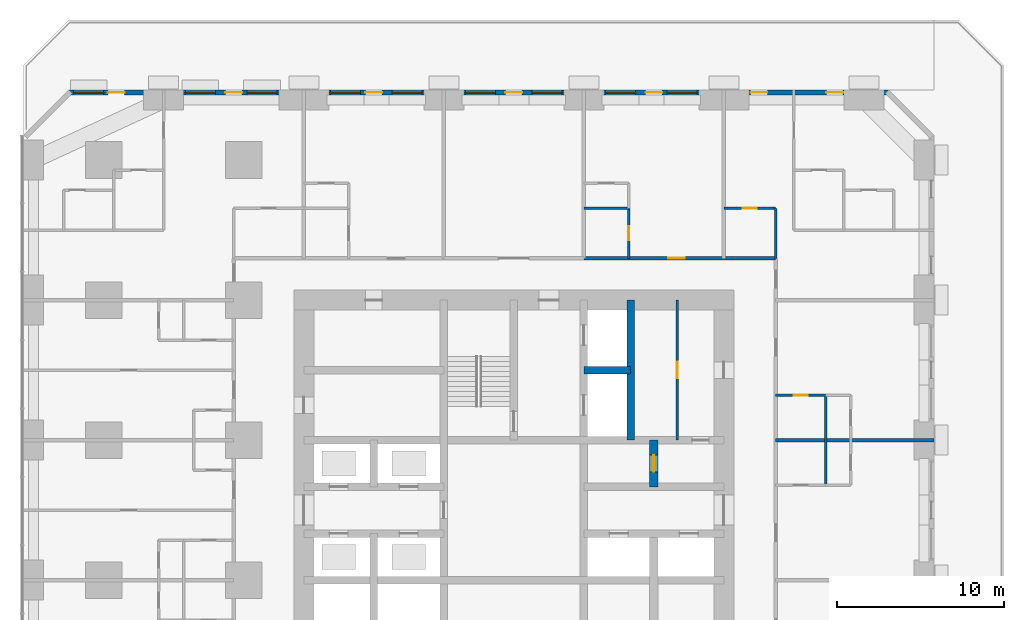
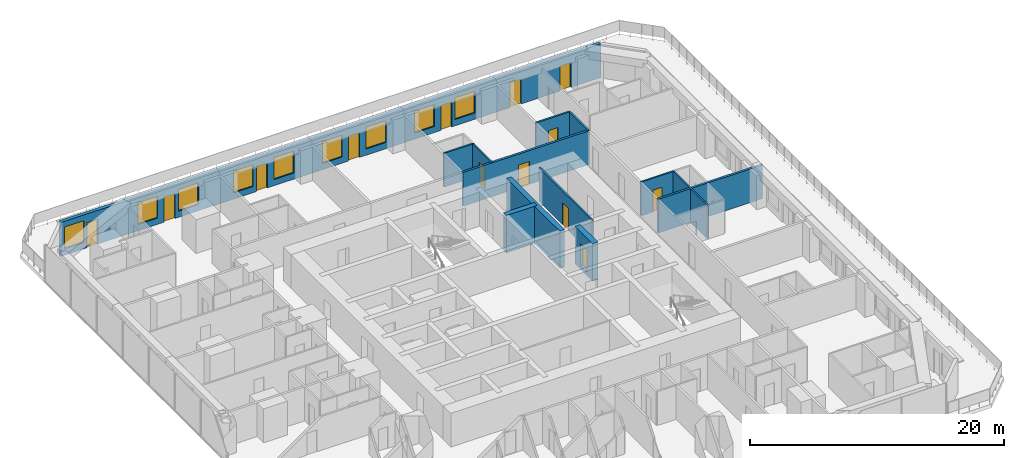
# One storey, part 13 of 16: 13 doors, 13 walls, 9 windows, 22 openings.
"""IFC4 building model written with IfcOpenShell, lengths in metres."""

from ifc_helpers import new_model, si_unit, direction, frame, frame_2d, origin, place, context, subcontext, project, spatial, rectangle, extrude, material, layer, layer_set, type_object, element, fill, save


model = new_model("IFC4")

# Units and contexts
model_context = context("Model", 3, precision=1e-05, world=origin(), true_north=direction((0.0, 1.0)))
body_context = subcontext(model_context, "Body", "Model", "MODEL_VIEW")
ifc_project = project(units=[si_unit("LENGTHUNIT", "METRE"), si_unit("AREAUNIT", "SQUARE_METRE"), si_unit("VOLUMEUNIT", "CUBIC_METRE"), si_unit("PLANEANGLEUNIT", "RADIAN"), si_unit("MASSUNIT", "GRAM", prefix="KILO")], contexts=[model_context])

# Site, building, storey
site_placement = place(None, origin())
site = spatial("IfcSite", under=ifc_project, at=site_placement, CompositionType="ELEMENT")
building_placement = place(site_placement, origin())
building = spatial("IfcBuilding", under=site, at=building_placement, Name="Dunama Terrace Hotel", CompositionType="ELEMENT")
storey_placement = place(building_placement, frame((0.0, 0.0, 93.60009765625)))
storey = spatial("IfcBuildingStorey", under=building, at=storey_placement, Name="L23", CompositionType="ELEMENT", Elevation=93.60009765625)

# Wall, opening, door
ifc_material_1 = material(Name="Gypsum board partition", Category="masonry")
ifc_layer_1 = layer(ifc_material_1, 0.14990234375)
ifc_layer_set_1 = layer_set([ifc_layer_1], Name="Bathroom partition 150")
wall_type_1 = type_object("IfcWallType", Name="Bathroom partition 150", PredefinedType="PARTITIONING", material=ifc_layer_set_1)
wall_1_placement = place(storey_placement, frame((36.300048828125, 44.5, 0.0), z_axis=(0.0, 0.0, 1.0), x_axis=(0.0, 1.0, 0.0)))
wall_1 = element("IfcWall", 1, at=wall_1_placement, inside=storey, type_object=wall_type_1, Name="Bathroom partition 150 L23", PredefinedType="PARTITIONING", context=body_context, shape_type="SweptSolid", body=[
    extrude(rectangle(XDim=3.0, YDim=0.14990234375, at=frame_2d((1.5, 0.0))), origin(), (0.0, 0.0, 1.0), 3.25),
])
opening_1_placement = place(wall_1_placement, frame((1.074951171875, 0.0, 0.0)))
opening_1 = element("IfcOpeningElement", 2, at=opening_1_placement, cuts=wall_1, Name="Opening L23-054", PredefinedType="OPENING", context=body_context, shape_type="SweptSolid", body=[
    extrude(rectangle(XDim=0.85009765625, YDim=2.10009765625, at=frame_2d((0.425048828125, 1.050048828125))), frame((0.0, 0.0849609375, 0.0), z_axis=(0.0, -1.0, 0.0), x_axis=(1.0, 0.0, 0.0)), (0.0, 0.0, 1.0), 0.169921875),
])
ifc_material_2 = material(Name="Timber door with steel frame", Category="steel")
door_type_1 = type_object("IfcDoorType", Name="Bathroom door 850", OperationType="SINGLE_SWING_LEFT", PredefinedType="DOOR", material=ifc_material_2)
door_1_placement = place(opening_1_placement, origin())
door_1 = element("IfcDoor", 3, at=door_1_placement, inside=storey, type_object=door_type_1, Name="Door to en-suite bathroom L23-054, type D2", OperationType="SINGLE_SWING_LEFT", OverallHeight=2.10009765625, OverallWidth=0.85009765625, PredefinedType="DOOR", context=body_context, shape_type="SweptSolid", body=[
    extrude(rectangle(XDim=0.85009765625, YDim=2.10009765625, at=frame_2d((0.425048828125, 1.050048828125))), frame((0.0, 0.02490234375, 0.0), z_axis=(0.0, -1.0, 0.0), x_axis=(1.0, 0.0, 0.0)), (0.0, 0.0, 1.0), 0.050048828125),
])
fill(opening_1, door_1)

# Wall
wall_2_placement = place(storey_placement, frame((45.10009765625, 44.5, 0.0), z_axis=(0.0, 0.0, 1.0), x_axis=(0.0, 1.0, 0.0)))
element("IfcWall", 4, at=wall_2_placement, inside=storey, type_object=wall_type_1, Name="Bathroom partition 150 L23", PredefinedType="PARTITIONING", context=body_context, shape_type="SweptSolid", body=[
    extrude(rectangle(XDim=3.0, YDim=0.14990234375, at=frame_2d((1.5, 0.0))), origin(), (0.0, 0.0, 1.0), 3.25),
])

# Wall, opening, door
wall_3_placement = place(storey_placement, frame((45.10009765625, 36.300048828125, 0.0), z_axis=(0.0, 0.0, 1.0), x_axis=(1.0, 0.0, 0.0)))
wall_3 = element("IfcWall", 5, at=wall_3_placement, inside=storey, type_object=wall_type_1, Name="Bathroom partition 150 L23", PredefinedType="PARTITIONING", context=body_context, shape_type="SweptSolid", body=[
    extrude(rectangle(XDim=3.0, YDim=0.14990234375, at=frame_2d((1.5, 0.0))), origin(), (0.0, 0.0, 1.0), 3.25),
])
opening_2_placement = place(wall_3_placement, frame((1.074951171875, 0.0, 0.0)))
opening_2 = element("IfcOpeningElement", 6, at=opening_2_placement, cuts=wall_3, Name="Opening L23-047", PredefinedType="OPENING", context=body_context, shape_type="SweptSolid", body=[
    extrude(rectangle(XDim=0.85009765625, YDim=2.10009765625, at=frame_2d((0.425048828125, 1.050048828125))), frame((0.0, 0.0849609375, 0.0), z_axis=(0.0, -1.0, 0.0), x_axis=(1.0, 0.0, 0.0)), (0.0, 0.0, 1.0), 0.169921875),
])
door_2_placement = place(opening_2_placement, frame((0.85009765625, 0.0, 0.0), z_axis=(0.0, 0.0, 1.0), x_axis=(-1.0, 0.0, 0.0)))
door_2 = element("IfcDoor", 7, at=door_2_placement, inside=storey, type_object=door_type_1, Name="Door to en-suite bathroom L23-047, type D2", OperationType="SINGLE_SWING_RIGHT", OverallHeight=2.10009765625, OverallWidth=0.85009765625, PredefinedType="DOOR", context=body_context, shape_type="SweptSolid", body=[
    extrude(rectangle(XDim=0.85009765625, YDim=2.10009765625, at=frame_2d((0.425048828125, 1.050048828125))), frame((0.0, 0.025146484375, 0.0), z_axis=(0.0, -1.0, 0.0), x_axis=(1.0, 0.0, 0.0)), (0.0, 0.0, 1.0), 0.050048828125),
])
fill(opening_2, door_2)

wall_4_placement = place(storey_placement, frame((42.0, 47.5, 0.0), z_axis=(0.0, 0.0, 1.0), x_axis=(1.0, 0.0, 0.0)))
wall_4 = element("IfcWall", 8, at=wall_4_placement, inside=storey, type_object=wall_type_1, Name="Bathroom partition 150 L23", PredefinedType="PARTITIONING", context=body_context, shape_type="SweptSolid", body=[
    extrude(rectangle(XDim=3.10009765625, YDim=0.14990234375, at=frame_2d((1.550048828125, 0.0))), origin(), (0.0, 0.0, 1.0), 3.25),
])
opening_3_placement = place(wall_4_placement, frame((1.125, 0.0, 0.0)))
opening_3 = element("IfcOpeningElement", 9, at=opening_3_placement, cuts=wall_4, Name="Opening L23-083", PredefinedType="OPENING", context=body_context, shape_type="SweptSolid", body=[
    extrude(rectangle(XDim=0.85009765625, YDim=2.10009765625, at=frame_2d((0.425048828125, 1.050048828125))), frame((0.0, 0.0849609375, 0.0), z_axis=(0.0, -1.0, 0.0), x_axis=(1.0, 0.0, 0.0)), (0.0, 0.0, 1.0), 0.169921875),
])
door_3_placement = place(opening_3_placement, frame((0.85009765625, 0.0, 0.0), z_axis=(0.0, 0.0, 1.0), x_axis=(-1.0, 0.0, 0.0)))
door_3 = element("IfcDoor", 10, at=door_3_placement, inside=storey, type_object=door_type_1, Name="Door to powder room L23-083, type D2", OperationType="SINGLE_SWING_RIGHT", OverallHeight=2.10009765625, OverallWidth=0.85009765625, PredefinedType="DOOR", context=body_context, shape_type="SweptSolid", body=[
    extrude(rectangle(XDim=0.85009765625, YDim=2.10009765625, at=frame_2d((0.425048828125, 1.050048828125))), frame((0.0, 0.025146484375, 0.0), z_axis=(0.0, -1.0, 0.0), x_axis=(1.0, 0.0, 0.0)), (0.0, 0.0, 1.0), 0.050048828125),
])
fill(opening_3, door_3)

# Walls
ifc_material_3 = material(Name="Concrete C50/60", Category="concrete")
ifc_layer_2 = layer(ifc_material_3, 0.449951171875)
ifc_layer_set_2 = layer_set([ifc_layer_2], Name="Core inner wall 450")
wall_type_2 = type_object("IfcWallType", Name="Core inner wall 450", PredefinedType="SHEAR", material=ifc_layer_set_2)
wall_5_placement = place(storey_placement, frame((36.39990234375, 33.60009765625, -0.35009765625), z_axis=(0.0, 0.0, 1.0), x_axis=(0.0, 1.0, 0.0)))
element("IfcWall", 11, at=wall_5_placement, inside=storey, type_object=wall_type_2, Name="Core inner wall 450 L23", PredefinedType="SHEAR", context=body_context, shape_type="SweptSolid", body=[
    extrude(rectangle(XDim=8.39990234375, YDim=0.449951171875, at=frame_2d((4.199951171875, 0.0))), origin(), (0.0, 0.0, 1.0), 3.60009765625),
])
wall_6_placement = place(storey_placement, frame((33.60009765625, 37.800048828125, -0.35009765625), z_axis=(0.0, 0.0, 1.0), x_axis=(1.0, 0.0, 0.0)))
element("IfcWall", 12, at=wall_6_placement, inside=storey, type_object=wall_type_2, Name="Core inner wall 450 L23", PredefinedType="SHEAR", context=body_context, shape_type="SweptSolid", body=[
    extrude(rectangle(XDim=2.7998046875, YDim=0.449951171875, at=frame_2d((1.39990234375, 0.0))), origin(), (0.0, 0.0, 1.0), 3.60009765625),
])

# Wall, opening, door
ifc_material_4 = material(Name="Concrete C50/60", Category="concrete")
ifc_layer_3 = layer(ifc_material_4, 0.5)
ifc_layer_set_3 = layer_set([ifc_layer_3], Name="Core inner wall 500")
wall_type_3 = type_object("IfcWallType", Name="Core inner wall 500", PredefinedType="SHEAR", material=ifc_layer_set_3)
wall_7_placement = place(storey_placement, frame((37.800048828125, 30.800048828125, -0.35009765625), z_axis=(0.0, 0.0, 1.0), x_axis=(0.0, 1.0, 0.0)))
wall_7 = element("IfcWall", 13, at=wall_7_placement, inside=storey, type_object=wall_type_3, Name="Core inner wall 500 L23", PredefinedType="SHEAR", context=body_context, shape_type="SweptSolid", body=[
    extrude(rectangle(XDim=2.800048828125, YDim=0.5, at=frame_2d((1.39990234375, 0.0))), origin(), (0.0, 0.0, 1.0), 3.60009765625),
])
opening_4_placement = place(wall_7_placement, frame((0.89990234375, 0.0, 0.35009765625)))
opening_4 = element("IfcOpeningElement", 14, at=opening_4_placement, cuts=wall_7, Name="Opening L23-097", PredefinedType="OPENING", context=body_context, shape_type="SweptSolid", body=[
    extrude(rectangle(XDim=1.0, YDim=2.10009765625, at=frame_2d((0.5, 1.050048828125))), frame((0.0, 0.260009765625, 0.0), z_axis=(0.0, -1.0, 0.0), x_axis=(1.0, 0.0, 0.0)), (0.0, 0.0, 1.0), 0.52001953125),
])
ifc_material_5 = material(Name="Timber door with steel frame", Category="steel")
door_type_2 = type_object("IfcDoorType", Name="Service door 1000", OperationType="SINGLE_SWING_LEFT", PredefinedType="DOOR", material=ifc_material_5)
door_4_placement = place(opening_4_placement, frame((1.0, 0.0, 0.0), z_axis=(0.0, 0.0, 1.0), x_axis=(-1.0, 0.0, 0.0)))
door_4 = element("IfcDoor", 15, at=door_4_placement, inside=storey, type_object=door_type_2, Name="Door to service riser L23-097, type D7", OperationType="SINGLE_SWING_RIGHT", OverallHeight=2.10009765625, OverallWidth=1.0, PredefinedType="DOOR", context=body_context, shape_type="SweptSolid", body=[
    extrude(rectangle(XDim=1.0, YDim=2.10009765625, at=frame_2d((0.5, 1.050048828125))), frame((0.0, 0.025146484375, 0.0), z_axis=(0.0, -1.0, 0.0), x_axis=(1.0, 0.0, 0.0)), (0.0, 0.0, 1.0), 0.050048828125),
])
fill(opening_4, door_4)

ifc_material_6 = material(Name="Concrete blockwork", Category="masonry")
ifc_layer_4 = layer(ifc_material_6, 0.199951171875)
ifc_layer_set_4 = layer_set([ifc_layer_4], Name="Corridor partition 200")
wall_type_4 = type_object("IfcWallType", Name="Corridor partition 200", PredefinedType="PARTITIONING", material=ifc_layer_set_4)
wall_8_placement = place(storey_placement, frame((33.60009765625, 44.5, 0.0), z_axis=(0.0, 0.0, 1.0), x_axis=(1.0, 0.0, 0.0)))
wall_8 = element("IfcWall", 16, at=wall_8_placement, inside=storey, type_object=wall_type_4, Name="Corridor partition 200 L23", PredefinedType="PARTITIONING", context=body_context, shape_type="SweptSolid", body=[
    extrude(rectangle(XDim=11.5, YDim=0.199951171875, at=frame_2d((5.75, 0.0))), origin(), (0.0, 0.0, 1.0), 3.25),
])
opening_5_placement = place(wall_8_placement, frame((5.050048828125, 0.0, 0.0)))
opening_5 = element("IfcOpeningElement", 17, at=opening_5_placement, cuts=wall_8, Name="Opening L23-053", PredefinedType="OPENING", context=body_context, shape_type="SweptSolid", body=[
    extrude(rectangle(XDim=1.0, YDim=2.199951171875, at=frame_2d((0.5, 1.10009765625))), frame((0.0, 0.10986328125, 0.0), z_axis=(0.0, -1.0, 0.0), x_axis=(1.0, 0.0, 0.0)), (0.0, 0.0, 1.0), 0.219970703125),
])
ifc_material_7 = material(Name="Timber door with steel frame", Category="steel")
door_type_3 = type_object("IfcDoorType", Name="Guest room door 1000", OperationType="SINGLE_SWING_LEFT", PredefinedType="DOOR", material=ifc_material_7)
door_5_placement = place(opening_5_placement, origin())
door_5 = element("IfcDoor", 18, at=door_5_placement, inside=storey, type_object=door_type_3, Name="Door to terrace junior suite L23-053, type D1", OperationType="SINGLE_SWING_LEFT", OverallHeight=2.199951171875, OverallWidth=1.0, PredefinedType="DOOR", context=body_context, shape_type="SweptSolid", body=[
    extrude(rectangle(XDim=1.0, YDim=2.199951171875, at=frame_2d((0.5, 1.10009765625))), frame((0.0, 0.02490234375, 0.0), z_axis=(0.0, -1.0, 0.0), x_axis=(1.0, 0.0, 0.0)), (0.0, 0.0, 1.0), 0.050048828125),
])
fill(opening_5, door_5)

# Wall
ifc_material_8 = material(Name="Concrete blockwork", Category="masonry")
ifc_layer_5 = layer(ifc_material_8, 0.199951171875)
ifc_layer_set_5 = layer_set([ifc_layer_5], Name="Party wall 200")
wall_type_5 = type_object("IfcWallType", Name="Party wall 200", PredefinedType="PARTITIONING", material=ifc_layer_set_5)
wall_9_placement = place(storey_placement, frame((45.10009765625, 33.60009765625, 0.0), z_axis=(0.0, 0.0, 1.0), x_axis=(1.0, 0.0, 0.0)))
element("IfcWall", 19, at=wall_9_placement, inside=storey, type_object=wall_type_5, Name="Party wall 200 L23", PredefinedType="PARTITIONING", context=body_context, shape_type="SweptSolid", body=[
    extrude(rectangle(XDim=9.5, YDim=0.199951171875, at=frame_2d((4.75, 0.0))), origin(), (0.0, 0.0, 1.0), 3.25),
])

# Wall, opening, door
ifc_material_9 = material(Name="Gypsum board partition", Category="masonry")
ifc_layer_6 = layer(ifc_material_9, 0.14990234375)
ifc_layer_set_6 = layer_set([ifc_layer_6], Name="Room partition 150")
wall_type_6 = type_object("IfcWallType", Name="Room partition 150", PredefinedType="PARTITIONING", material=ifc_layer_set_6)
wall_10_placement = place(storey_placement, frame((39.199951171875, 33.60009765625, 0.0), z_axis=(0.0, 0.0, 1.0), x_axis=(0.0, 1.0, 0.0)))
wall_10 = element("IfcWall", 20, at=wall_10_placement, inside=storey, type_object=wall_type_6, Name="Room partition 150 L23", PredefinedType="PARTITIONING", context=body_context, shape_type="SweptSolid", body=[
    extrude(rectangle(XDim=8.39990234375, YDim=0.14990234375, at=frame_2d((4.199951171875, 0.0))), origin(), (0.0, 0.0, 1.0), 3.25),
])
opening_6_placement = place(wall_10_placement, frame((3.699951171875, 0.0, 0.0)))
opening_6 = element("IfcOpeningElement", 21, at=opening_6_placement, cuts=wall_10, Name="Opening L23-102", PredefinedType="OPENING", context=body_context, shape_type="SweptSolid", body=[
    extrude(rectangle(XDim=1.0, YDim=2.10009765625, at=frame_2d((0.5, 1.050048828125))), frame((0.0, 0.0849609375, 0.0), z_axis=(0.0, -1.0, 0.0), x_axis=(1.0, 0.0, 0.0)), (0.0, 0.0, 1.0), 0.169921875),
])
door_6_placement = place(opening_6_placement, frame((1.0, 0.0, 0.0), z_axis=(0.0, 0.0, 1.0), x_axis=(-1.0, 0.0, 0.0)))
door_6 = element("IfcDoor", 22, at=door_6_placement, inside=storey, type_object=door_type_2, Name="Door to luggage store L23-102, type D7", OperationType="SINGLE_SWING_RIGHT", OverallHeight=2.10009765625, OverallWidth=1.0, PredefinedType="DOOR", context=body_context, shape_type="SweptSolid", body=[
    extrude(rectangle(XDim=1.0, YDim=2.10009765625, at=frame_2d((0.5, 1.050048828125))), frame((0.0, 0.025146484375, 0.0), z_axis=(0.0, -1.0, 0.0), x_axis=(1.0, 0.0, 0.0)), (0.0, 0.0, 1.0), 0.050048828125),
])
fill(opening_6, door_6)

# Walls
wall_11_placement = place(storey_placement, frame((48.10009765625, 30.89990234375, 0.0), z_axis=(0.0, 0.0, 1.0), x_axis=(0.0, 1.0, 0.0)))
element("IfcWall", 23, at=wall_11_placement, inside=storey, type_object=wall_type_6, Name="Room partition 150 L23", PredefinedType="PARTITIONING", context=body_context, shape_type="SweptSolid", body=[
    extrude(rectangle(XDim=5.400146484375, YDim=0.14990234375, at=frame_2d((2.7001953125, 0.0))), origin(), (0.0, 0.0, 1.0), 3.25),
])
wall_12_placement = place(storey_placement, frame((33.60009765625, 47.5, 0.0), z_axis=(0.0, 0.0, 1.0), x_axis=(1.0, 0.0, 0.0)))
element("IfcWall", 24, at=wall_12_placement, inside=storey, type_object=wall_type_6, Name="Room partition 150 L23", PredefinedType="PARTITIONING", context=body_context, shape_type="SweptSolid", body=[
    extrude(rectangle(XDim=2.699951171875, YDim=0.14990234375, at=frame_2d((1.35009765625, 0.0))), origin(), (0.0, 0.0, 1.0), 3.25),
])

# Wall, openings, doors, windows
ifc_material_10 = material(Name="Granite-faced concrete blockwork", Category="masonry")
ifc_layer_7 = layer(ifc_material_10, 0.300048828125)
ifc_layer_set_7 = layer_set([ifc_layer_7], Name="Terrace wall 300")
wall_type_7 = type_object("IfcWallType", Name="Terrace wall 300", PredefinedType="SOLIDWALL", material=ifc_layer_set_7)
wall_13_placement = place(storey_placement, frame((51.89990234375, 54.449951171875, 0.0), z_axis=(0.0, 0.0, 1.0), x_axis=(-1.0, 0.0, 0.0)))
wall_13 = element("IfcWall", 25, at=wall_13_placement, inside=storey, type_object=wall_type_7, Name="Terrace wall 300 L23", PredefinedType="SOLIDWALL", context=body_context, shape_type="SweptSolid", body=[
    extrude(rectangle(XDim=49.199951171875, YDim=0.300048828125, at=frame_2d((24.60009765625, 0.0))), origin(), (0.0, 0.0, 1.0), 3.25),
])
opening_7_placement = place(wall_13_placement, frame((45.85009765625, 0.0, 0.0)))
opening_7 = element("IfcOpeningElement", 26, at=opening_7_placement, cuts=wall_13, Name="Opening L23-008", PredefinedType="OPENING", context=body_context, shape_type="SweptSolid", body=[
    extrude(rectangle(XDim=1.0, YDim=2.39990234375, at=frame_2d((0.5, 1.199951171875))), frame((0.0, 0.159912109375, 0.0), z_axis=(0.0, -1.0, 0.0), x_axis=(1.0, 0.0, 0.0)), (0.0, 0.0, 1.0), 0.320068359375),
])
opening_8_placement = place(wall_13_placement, frame((47.10009765625, 0.0, 0.60009765625)))
opening_8 = element("IfcOpeningElement", 27, at=opening_8_placement, cuts=wall_13, Name="Opening W2", PredefinedType="OPENING", context=body_context, shape_type="SweptSolid", body=[
    extrude(rectangle(XDim=1.800048828125, YDim=2.10009765625, at=frame_2d((0.89990234375, 1.050048828125))), frame((0.0, 0.159912109375, 0.0), z_axis=(0.0, -1.0, 0.0), x_axis=(1.0, 0.0, 0.0)), (0.0, 0.0, 1.0), 0.320068359375),
])
opening_9_placement = place(wall_13_placement, frame((38.800048828125, 0.0, 0.0)))
opening_9 = element("IfcOpeningElement", 28, at=opening_9_placement, cuts=wall_13, Name="Opening L23-009", PredefinedType="OPENING", context=body_context, shape_type="SweptSolid", body=[
    extrude(rectangle(XDim=1.0, YDim=2.39990234375, at=frame_2d((0.5, 1.199951171875))), frame((0.0, 0.159912109375, 0.0), z_axis=(0.0, -1.0, 0.0), x_axis=(1.0, 0.0, 0.0)), (0.0, 0.0, 1.0), 0.320068359375),
])
opening_10_placement = place(wall_13_placement, frame((40.39990234375, 0.0, 0.60009765625)))
opening_10 = element("IfcOpeningElement", 29, at=opening_10_placement, cuts=wall_13, Name="Opening W2", PredefinedType="OPENING", context=body_context, shape_type="SweptSolid", body=[
    extrude(rectangle(XDim=1.800048828125, YDim=2.10009765625, at=frame_2d((0.89990234375, 1.050048828125))), frame((0.0, 0.159912109375, 0.0), z_axis=(0.0, -1.0, 0.0), x_axis=(1.0, 0.0, 0.0)), (0.0, 0.0, 1.0), 0.320068359375),
])
opening_11_placement = place(wall_13_placement, frame((36.699951171875, 0.0, 0.60009765625)))
opening_11 = element("IfcOpeningElement", 30, at=opening_11_placement, cuts=wall_13, Name="Opening W2", PredefinedType="OPENING", context=body_context, shape_type="SweptSolid", body=[
    extrude(rectangle(XDim=1.800048828125, YDim=2.10009765625, at=frame_2d((0.89990234375, 1.050048828125))), frame((0.0, 0.159912109375, 0.0), z_axis=(0.0, -1.0, 0.0), x_axis=(1.0, 0.0, 0.0)), (0.0, 0.0, 1.0), 0.320068359375),
])
opening_12_placement = place(wall_13_placement, frame((30.39990234375, 0.0, 0.0)))
opening_12 = element("IfcOpeningElement", 31, at=opening_12_placement, cuts=wall_13, Name="Opening L23-010", PredefinedType="OPENING", context=body_context, shape_type="SweptSolid", body=[
    extrude(rectangle(XDim=1.0, YDim=2.39990234375, at=frame_2d((0.5, 1.199951171875))), frame((0.0, 0.159912109375, 0.0), z_axis=(0.0, -1.0, 0.0), x_axis=(1.0, 0.0, 0.0)), (0.0, 0.0, 1.0), 0.320068359375),
])
opening_13_placement = place(wall_13_placement, frame((31.699951171875, 0.0, 0.60009765625)))
opening_13 = element("IfcOpeningElement", 32, at=opening_13_placement, cuts=wall_13, Name="Opening W2", PredefinedType="OPENING", context=body_context, shape_type="SweptSolid", body=[
    extrude(rectangle(XDim=1.800048828125, YDim=2.10009765625, at=frame_2d((0.89990234375, 1.050048828125))), frame((0.0, 0.159912109375, 0.0), z_axis=(0.0, -1.0, 0.0), x_axis=(1.0, 0.0, 0.0)), (0.0, 0.0, 1.0), 0.320068359375),
])
opening_14_placement = place(wall_13_placement, frame((28.0, 0.0, 0.60009765625)))
opening_14 = element("IfcOpeningElement", 33, at=opening_14_placement, cuts=wall_13, Name="Opening W2", PredefinedType="OPENING", context=body_context, shape_type="SweptSolid", body=[
    extrude(rectangle(XDim=1.800048828125, YDim=2.10009765625, at=frame_2d((0.89990234375, 1.050048828125))), frame((0.0, 0.159912109375, 0.0), z_axis=(0.0, -1.0, 0.0), x_axis=(1.0, 0.0, 0.0)), (0.0, 0.0, 1.0), 0.320068359375),
])
opening_15_placement = place(wall_13_placement, frame((22.0, 0.0, 0.0)))
opening_15 = element("IfcOpeningElement", 34, at=opening_15_placement, cuts=wall_13, Name="Opening L23-011", PredefinedType="OPENING", context=body_context, shape_type="SweptSolid", body=[
    extrude(rectangle(XDim=1.0, YDim=2.39990234375, at=frame_2d((0.5, 1.199951171875))), frame((0.0, 0.159912109375, 0.0), z_axis=(0.0, -1.0, 0.0), x_axis=(1.0, 0.0, 0.0)), (0.0, 0.0, 1.0), 0.320068359375),
])
opening_16_placement = place(wall_13_placement, frame((23.60009765625, 0.0, 0.60009765625)))
opening_16 = element("IfcOpeningElement", 35, at=opening_16_placement, cuts=wall_13, Name="Opening W2", PredefinedType="OPENING", context=body_context, shape_type="SweptSolid", body=[
    extrude(rectangle(XDim=1.800048828125, YDim=2.10009765625, at=frame_2d((0.89990234375, 1.050048828125))), frame((0.0, 0.159912109375, 0.0), z_axis=(0.0, -1.0, 0.0), x_axis=(1.0, 0.0, 0.0)), (0.0, 0.0, 1.0), 0.320068359375),
])
opening_17_placement = place(wall_13_placement, frame((19.60009765625, 0.0, 0.60009765625)))
opening_17 = element("IfcOpeningElement", 36, at=opening_17_placement, cuts=wall_13, Name="Opening W2", PredefinedType="OPENING", context=body_context, shape_type="SweptSolid", body=[
    extrude(rectangle(XDim=1.800048828125, YDim=2.10009765625, at=frame_2d((0.89990234375, 1.050048828125))), frame((0.0, 0.159912109375, 0.0), z_axis=(0.0, -1.0, 0.0), x_axis=(1.0, 0.0, 0.0)), (0.0, 0.0, 1.0), 0.320068359375),
])
opening_18_placement = place(wall_13_placement, frame((13.60009765625, 0.0, 0.0)))
opening_18 = element("IfcOpeningElement", 37, at=opening_18_placement, cuts=wall_13, Name="Opening L23-012", PredefinedType="OPENING", context=body_context, shape_type="SweptSolid", body=[
    extrude(rectangle(XDim=1.0, YDim=2.39990234375, at=frame_2d((0.5, 1.199951171875))), frame((0.0, 0.159912109375, 0.0), z_axis=(0.0, -1.0, 0.0), x_axis=(1.0, 0.0, 0.0)), (0.0, 0.0, 1.0), 0.320068359375),
])
opening_19_placement = place(wall_13_placement, frame((15.199951171875, 0.0, 0.60009765625)))
opening_19 = element("IfcOpeningElement", 38, at=opening_19_placement, cuts=wall_13, Name="Opening W2", PredefinedType="OPENING", context=body_context, shape_type="SweptSolid", body=[
    extrude(rectangle(XDim=1.800048828125, YDim=2.10009765625, at=frame_2d((0.89990234375, 1.050048828125))), frame((0.0, 0.159912109375, 0.0), z_axis=(0.0, -1.0, 0.0), x_axis=(1.0, 0.0, 0.0)), (0.0, 0.0, 1.0), 0.320068359375),
])
opening_20_placement = place(wall_13_placement, frame((11.5, 0.0, 0.60009765625)))
opening_20 = element("IfcOpeningElement", 39, at=opening_20_placement, cuts=wall_13, Name="Opening W2", PredefinedType="OPENING", context=body_context, shape_type="SweptSolid", body=[
    extrude(rectangle(XDim=1.800048828125, YDim=2.10009765625, at=frame_2d((0.89990234375, 1.050048828125))), frame((0.0, 0.159912109375, 0.0), z_axis=(0.0, -1.0, 0.0), x_axis=(1.0, 0.0, 0.0)), (0.0, 0.0, 1.0), 0.320068359375),
])
opening_21_placement = place(wall_13_placement, frame((7.300048828125, 0.0, 0.0)))
opening_21 = element("IfcOpeningElement", 40, at=opening_21_placement, cuts=wall_13, Name="Opening L23-013", PredefinedType="OPENING", context=body_context, shape_type="SweptSolid", body=[
    extrude(rectangle(XDim=1.0, YDim=2.39990234375, at=frame_2d((0.5, 1.199951171875))), frame((0.0, 0.159912109375, 0.0), z_axis=(0.0, -1.0, 0.0), x_axis=(1.0, 0.0, 0.0)), (0.0, 0.0, 1.0), 0.320068359375),
])
opening_22_placement = place(wall_13_placement, frame((2.75, 0.0, 0.0)))
opening_22 = element("IfcOpeningElement", 41, at=opening_22_placement, cuts=wall_13, Name="Opening L23-014", PredefinedType="OPENING", context=body_context, shape_type="SweptSolid", body=[
    extrude(rectangle(XDim=1.0, YDim=2.39990234375, at=frame_2d((0.5, 1.199951171875))), frame((0.0, 0.159912109375, 0.0), z_axis=(0.0, -1.0, 0.0), x_axis=(1.0, 0.0, 0.0)), (0.0, 0.0, 1.0), 0.320068359375),
])
ifc_material_11 = material(Name="Aluminium-framed glazed door", Category="aluminium")
door_type_4 = type_object("IfcDoorType", Name="Terrace door 1000", OperationType="SINGLE_SWING_LEFT", PredefinedType="DOOR", material=ifc_material_11)
door_7_placement = place(opening_7_placement, origin())
door_7 = element("IfcDoor", 42, at=door_7_placement, inside=storey, type_object=door_type_4, Name="Terrace door Corner suite bedroom L23-008, type D12", OperationType="SINGLE_SWING_LEFT", OverallHeight=2.39990234375, OverallWidth=1.0, PredefinedType="DOOR", context=body_context, shape_type="SweptSolid", body=[
    extrude(rectangle(XDim=1.0, YDim=2.39990234375, at=frame_2d((0.5, 1.199951171875))), frame((0.0, 0.02490234375, 0.0), z_axis=(0.0, -1.0, 0.0), x_axis=(1.0, 0.0, 0.0)), (0.0, 0.0, 1.0), 0.050048828125),
])
fill(opening_7, door_7)
door_8_placement = place(opening_9_placement, origin())
door_8 = element("IfcDoor", 43, at=door_8_placement, inside=storey, type_object=door_type_4, Name="Terrace door Corner suite living room L23-009, type D12", OperationType="SINGLE_SWING_LEFT", OverallHeight=2.39990234375, OverallWidth=1.0, PredefinedType="DOOR", context=body_context, shape_type="SweptSolid", body=[
    extrude(rectangle(XDim=1.0, YDim=2.39990234375, at=frame_2d((0.5, 1.199951171875))), frame((0.0, 0.02490234375, 0.0), z_axis=(0.0, -1.0, 0.0), x_axis=(1.0, 0.0, 0.0)), (0.0, 0.0, 1.0), 0.050048828125),
])
fill(opening_9, door_8)
door_9_placement = place(opening_12_placement, origin())
door_9 = element("IfcDoor", 44, at=door_9_placement, inside=storey, type_object=door_type_4, Name="Terrace door Terrace junior suite L23-010, type D12", OperationType="SINGLE_SWING_RIGHT", OverallHeight=2.39990234375, OverallWidth=1.0, PredefinedType="DOOR", context=body_context, shape_type="SweptSolid", body=[
    extrude(rectangle(XDim=1.0, YDim=2.39990234375, at=frame_2d((0.5, 1.199951171875))), frame((0.0, 0.02490234375, 0.0), z_axis=(0.0, -1.0, 0.0), x_axis=(1.0, 0.0, 0.0)), (0.0, 0.0, 1.0), 0.050048828125),
])
fill(opening_12, door_9)
door_10_placement = place(opening_15_placement, origin())
door_10 = element("IfcDoor", 45, at=door_10_placement, inside=storey, type_object=door_type_4, Name="Terrace door Terrace lounge L23-011, type D12", OperationType="SINGLE_SWING_LEFT", OverallHeight=2.39990234375, OverallWidth=1.0, PredefinedType="DOOR", context=body_context, shape_type="SweptSolid", body=[
    extrude(rectangle(XDim=1.0, YDim=2.39990234375, at=frame_2d((0.5, 1.199951171875))), frame((0.0, 0.02490234375, 0.0), z_axis=(0.0, -1.0, 0.0), x_axis=(1.0, 0.0, 0.0)), (0.0, 0.0, 1.0), 0.050048828125),
])
fill(opening_15, door_10)
door_11_placement = place(opening_18_placement, origin())
door_11 = element("IfcDoor", 46, at=door_11_placement, inside=storey, type_object=door_type_4, Name="Terrace door Terrace junior suite L23-012, type D12", OperationType="SINGLE_SWING_LEFT", OverallHeight=2.39990234375, OverallWidth=1.0, PredefinedType="DOOR", context=body_context, shape_type="SweptSolid", body=[
    extrude(rectangle(XDim=1.0, YDim=2.39990234375, at=frame_2d((0.5, 1.199951171875))), frame((0.0, 0.02490234375, 0.0), z_axis=(0.0, -1.0, 0.0), x_axis=(1.0, 0.0, 0.0)), (0.0, 0.0, 1.0), 0.050048828125),
])
fill(opening_18, door_11)
door_12_placement = place(opening_21_placement, origin())
door_12 = element("IfcDoor", 47, at=door_12_placement, inside=storey, type_object=door_type_4, Name="Terrace door Corner suite living room L23-013, type D12", OperationType="SINGLE_SWING_RIGHT", OverallHeight=2.39990234375, OverallWidth=1.0, PredefinedType="DOOR", context=body_context, shape_type="SweptSolid", body=[
    extrude(rectangle(XDim=1.0, YDim=2.39990234375, at=frame_2d((0.5, 1.199951171875))), frame((0.0, 0.02490234375, 0.0), z_axis=(0.0, -1.0, 0.0), x_axis=(1.0, 0.0, 0.0)), (0.0, 0.0, 1.0), 0.050048828125),
])
fill(opening_21, door_12)
door_13_placement = place(opening_22_placement, origin())
door_13 = element("IfcDoor", 48, at=door_13_placement, inside=storey, type_object=door_type_4, Name="Terrace door Corner suite bedroom L23-014, type D12", OperationType="SINGLE_SWING_LEFT", OverallHeight=2.39990234375, OverallWidth=1.0, PredefinedType="DOOR", context=body_context, shape_type="SweptSolid", body=[
    extrude(rectangle(XDim=1.0, YDim=2.39990234375, at=frame_2d((0.5, 1.199951171875))), frame((0.0, 0.02490234375, 0.0), z_axis=(0.0, -1.0, 0.0), x_axis=(1.0, 0.0, 0.0)), (0.0, 0.0, 1.0), 0.050048828125),
])
fill(opening_22, door_13)
ifc_material_12 = material(Name="Aluminium-framed double glazed window", Category="aluminium")
window_type = type_object("IfcWindowType", Name="Terrace window 1800", PartitioningType="SINGLE_PANEL", PredefinedType="WINDOW", material=ifc_material_12)
window_1_placement = place(opening_8_placement, origin())
window_1 = element("IfcWindow", 49, at=window_1_placement, inside=storey, type_object=window_type, Name="Terrace window 1800 L23", OverallHeight=2.10009765625, OverallWidth=1.800048828125, PartitioningType="SINGLE_PANEL", PredefinedType="WINDOW", context=body_context, shape_type="SweptSolid", body=[
    extrude(rectangle(XDim=1.800048828125, YDim=2.10009765625, at=frame_2d((0.89990234375, 1.050048828125))), frame((0.0, 0.030029296875, 0.0), z_axis=(0.0, -1.0, 0.0), x_axis=(1.0, 0.0, 0.0)), (0.0, 0.0, 1.0), 0.06005859375),
])
fill(opening_8, window_1)
window_2_placement = place(opening_10_placement, origin())
window_2 = element("IfcWindow", 50, at=window_2_placement, inside=storey, type_object=window_type, Name="Terrace window 1800 L23", OverallHeight=2.10009765625, OverallWidth=1.800048828125, PartitioningType="SINGLE_PANEL", PredefinedType="WINDOW", context=body_context, shape_type="SweptSolid", body=[
    extrude(rectangle(XDim=1.800048828125, YDim=2.10009765625, at=frame_2d((0.89990234375, 1.050048828125))), frame((0.0, 0.030029296875, 0.0), z_axis=(0.0, -1.0, 0.0), x_axis=(1.0, 0.0, 0.0)), (0.0, 0.0, 1.0), 0.06005859375),
])
fill(opening_10, window_2)
window_3_placement = place(opening_11_placement, origin())
window_3 = element("IfcWindow", 51, at=window_3_placement, inside=storey, type_object=window_type, Name="Terrace window 1800 L23", OverallHeight=2.10009765625, OverallWidth=1.800048828125, PartitioningType="SINGLE_PANEL", PredefinedType="WINDOW", context=body_context, shape_type="SweptSolid", body=[
    extrude(rectangle(XDim=1.800048828125, YDim=2.10009765625, at=frame_2d((0.89990234375, 1.050048828125))), frame((0.0, 0.030029296875, 0.0), z_axis=(0.0, -1.0, 0.0), x_axis=(1.0, 0.0, 0.0)), (0.0, 0.0, 1.0), 0.06005859375),
])
fill(opening_11, window_3)
window_4_placement = place(opening_13_placement, origin())
window_4 = element("IfcWindow", 52, at=window_4_placement, inside=storey, type_object=window_type, Name="Terrace window 1800 L23", OverallHeight=2.10009765625, OverallWidth=1.800048828125, PartitioningType="SINGLE_PANEL", PredefinedType="WINDOW", context=body_context, shape_type="SweptSolid", body=[
    extrude(rectangle(XDim=1.800048828125, YDim=2.10009765625, at=frame_2d((0.89990234375, 1.050048828125))), frame((0.0, 0.030029296875, 0.0), z_axis=(0.0, -1.0, 0.0), x_axis=(1.0, 0.0, 0.0)), (0.0, 0.0, 1.0), 0.06005859375),
])
fill(opening_13, window_4)
window_5_placement = place(opening_14_placement, origin())
window_5 = element("IfcWindow", 53, at=window_5_placement, inside=storey, type_object=window_type, Name="Terrace window 1800 L23", OverallHeight=2.10009765625, OverallWidth=1.800048828125, PartitioningType="SINGLE_PANEL", PredefinedType="WINDOW", context=body_context, shape_type="SweptSolid", body=[
    extrude(rectangle(XDim=1.800048828125, YDim=2.10009765625, at=frame_2d((0.89990234375, 1.050048828125))), frame((0.0, 0.030029296875, 0.0), z_axis=(0.0, -1.0, 0.0), x_axis=(1.0, 0.0, 0.0)), (0.0, 0.0, 1.0), 0.06005859375),
])
fill(opening_14, window_5)
window_6_placement = place(opening_16_placement, origin())
window_6 = element("IfcWindow", 54, at=window_6_placement, inside=storey, type_object=window_type, Name="Terrace window 1800 L23", OverallHeight=2.10009765625, OverallWidth=1.800048828125, PartitioningType="SINGLE_PANEL", PredefinedType="WINDOW", context=body_context, shape_type="SweptSolid", body=[
    extrude(rectangle(XDim=1.800048828125, YDim=2.10009765625, at=frame_2d((0.89990234375, 1.050048828125))), frame((0.0, 0.030029296875, 0.0), z_axis=(0.0, -1.0, 0.0), x_axis=(1.0, 0.0, 0.0)), (0.0, 0.0, 1.0), 0.06005859375),
])
fill(opening_16, window_6)
window_7_placement = place(opening_17_placement, origin())
window_7 = element("IfcWindow", 55, at=window_7_placement, inside=storey, type_object=window_type, Name="Terrace window 1800 L23", OverallHeight=2.10009765625, OverallWidth=1.800048828125, PartitioningType="SINGLE_PANEL", PredefinedType="WINDOW", context=body_context, shape_type="SweptSolid", body=[
    extrude(rectangle(XDim=1.800048828125, YDim=2.10009765625, at=frame_2d((0.89990234375, 1.050048828125))), frame((0.0, 0.030029296875, 0.0), z_axis=(0.0, -1.0, 0.0), x_axis=(1.0, 0.0, 0.0)), (0.0, 0.0, 1.0), 0.06005859375),
])
fill(opening_17, window_7)
window_8_placement = place(opening_19_placement, origin())
window_8 = element("IfcWindow", 56, at=window_8_placement, inside=storey, type_object=window_type, Name="Terrace window 1800 L23", OverallHeight=2.10009765625, OverallWidth=1.800048828125, PartitioningType="SINGLE_PANEL", PredefinedType="WINDOW", context=body_context, shape_type="SweptSolid", body=[
    extrude(rectangle(XDim=1.800048828125, YDim=2.10009765625, at=frame_2d((0.89990234375, 1.050048828125))), frame((0.0, 0.030029296875, 0.0), z_axis=(0.0, -1.0, 0.0), x_axis=(1.0, 0.0, 0.0)), (0.0, 0.0, 1.0), 0.06005859375),
])
fill(opening_19, window_8)
window_9_placement = place(opening_20_placement, origin())
window_9 = element("IfcWindow", 57, at=window_9_placement, inside=storey, type_object=window_type, Name="Terrace window 1800 L23", OverallHeight=2.10009765625, OverallWidth=1.800048828125, PartitioningType="SINGLE_PANEL", PredefinedType="WINDOW", context=body_context, shape_type="SweptSolid", body=[
    extrude(rectangle(XDim=1.800048828125, YDim=2.10009765625, at=frame_2d((0.89990234375, 1.050048828125))), frame((0.0, 0.030029296875, 0.0), z_axis=(0.0, -1.0, 0.0), x_axis=(1.0, 0.0, 0.0)), (0.0, 0.0, 1.0), 0.06005859375),
])
fill(opening_20, window_9)

save(model, "model.ifc")
